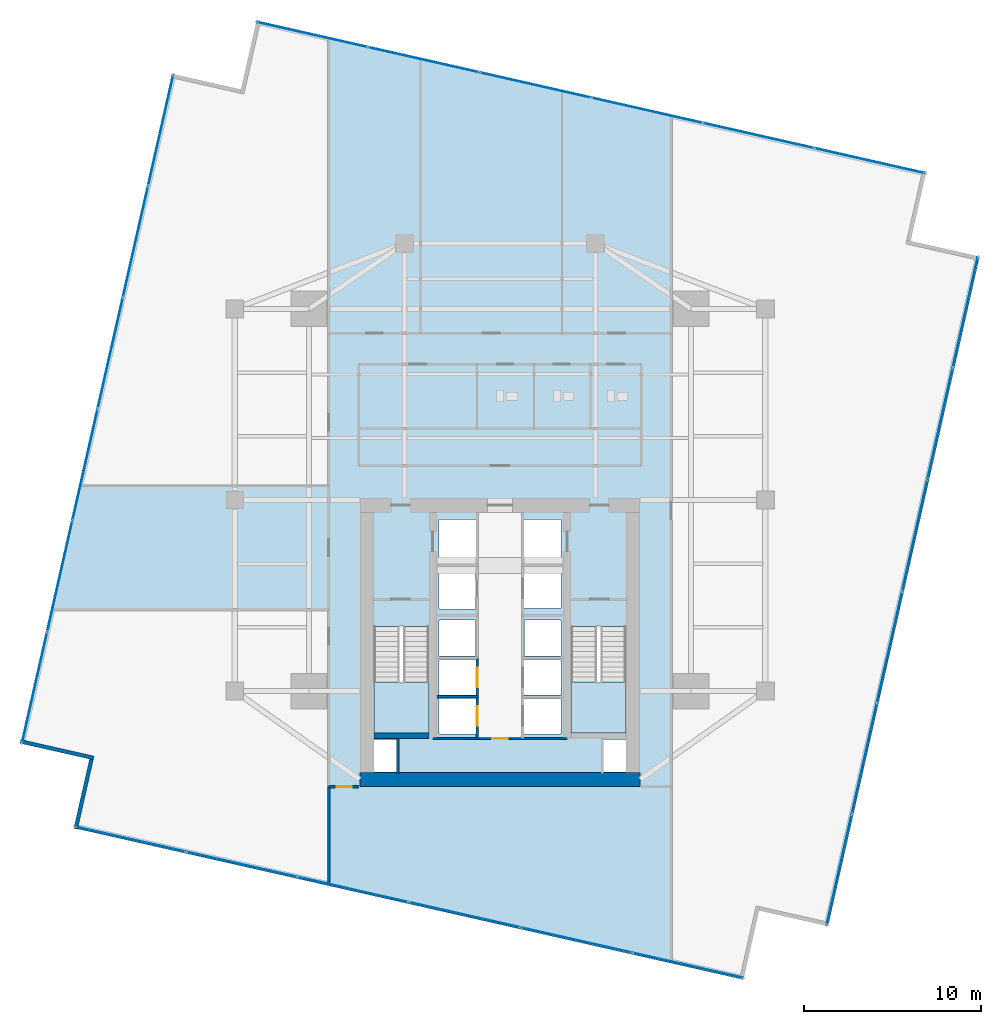
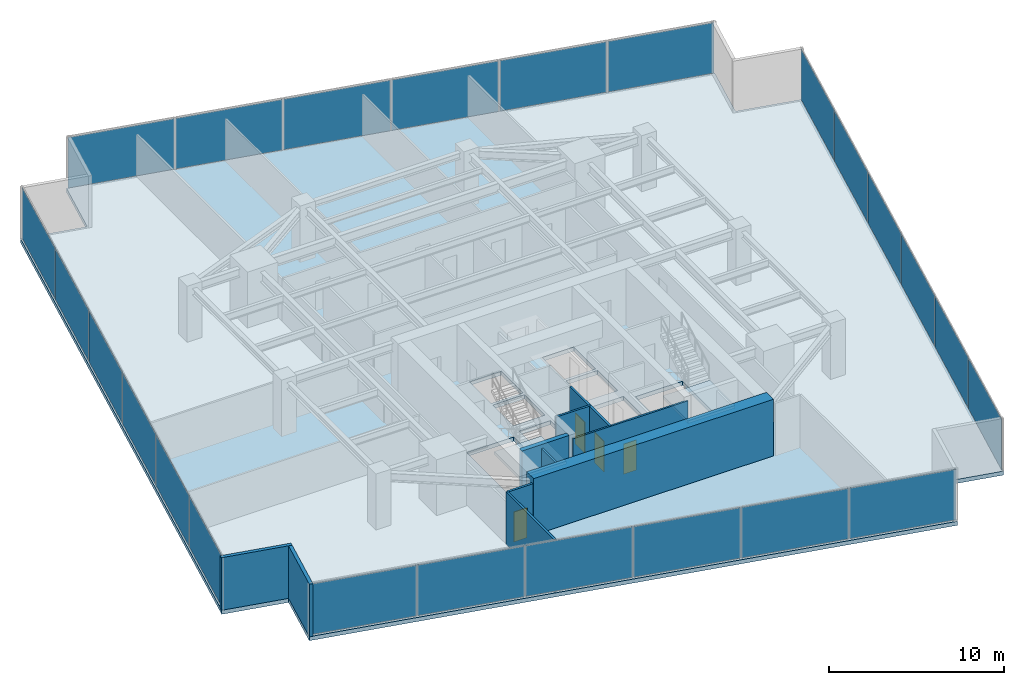
# One storey, part 22 of 27: 24 plates, 10 walls, 4 doors, 3 slabs, 4 openings, 6 elements without a shape of their own.
"""IFC4 building model written with IfcOpenShell, lengths in metres."""

import ifcopenshell
import ifcopenshell.guid

model = None  # the IFC model being written
_history = None  # IfcOwnerHistory: only IFC2X3 demands one
_inside = {}  # id of a spatial element -> (the spatial element, [elements in it])
_under = {}  # id of a project, library or spatial element -> (it, [spatial elements below it])
_declared = {}  # id of a project -> (the project, [libraries it declares])
_typed = {}  # id of a type object -> (the type object, [elements of that type])
_made_of = {}  # id of a material, layer set ... -> (it, [elements and type objects made of it])


def new_model(schema):
    """Start an empty IFC model of exactly this schema.

    Asked for "IFC4X3", IfcOpenShell would pick the latest addendum, in which some entities
    have other attributes; the version numbers below select the first issue.
    IFC2X3 requires an IfcOwnerHistory on every rooted entity: one is made here for all.
    """
    global model, _history
    if schema == "IFC4X3":
        model = ifcopenshell.file(schema_version=(4, 3, 0, 0))
    else:
        model = ifcopenshell.file(schema=schema)
    _inside.clear()
    _under.clear()
    _declared.clear()
    _typed.clear()
    _made_of.clear()
    _history = None
    if model.schema == "IFC2X3":
        org = make("IfcOrganization", Name="unknown")
        user = make(
            "IfcPersonAndOrganization",
            ThePerson=make("IfcPerson", FamilyName="unknown"),
            TheOrganization=org,
        )
        app = make(
            "IfcApplication",
            ApplicationDeveloper=org,
            Version="unknown",
            ApplicationFullName="unknown",
            ApplicationIdentifier="unknown",
        )
        _history = make(
            "IfcOwnerHistory",
            OwningUser=user,
            OwningApplication=app,
            ChangeAction="ADDED",
            CreationDate=0,
        )
    return model


def make(cls, **values):
    """One entity of the class cls with the attributes given. An attribute that is None is left unset."""
    return model.create_entity(
        cls, **{name: value for name, value in values.items() if value is not None}
    )


def rooted(cls, **values):
    """An entity with a GlobalId (a new one), such as an element, a storey or a relation."""
    return make(cls, GlobalId=ifcopenshell.guid.new(), OwnerHistory=_history, **values)


def si_unit(unit_type, name, prefix=None):
    """IfcSIUnit, for example si_unit("LENGTHUNIT", "METRE", prefix="MILLI")."""
    return make("IfcSIUnit", UnitType=unit_type, Prefix=prefix, Name=name)


def assignment(units):
    """IfcUnitAssignment: the units of a project."""
    return None if units is None else make("IfcUnitAssignment", Units=units)


def point(xyz):
    """IfcCartesianPoint."""
    return None if xyz is None else make("IfcCartesianPoint", Coordinates=xyz)


def direction(xyz):
    """IfcDirection."""
    return None if xyz is None else make("IfcDirection", DirectionRatios=xyz)


def frame(location, z_axis=None, x_axis=None):
    """IfcAxis2Placement3D, a coordinate frame: its origin and axes. An axis left out is left unset."""
    return make(
        "IfcAxis2Placement3D",
        Location=point(location),
        Axis=direction(z_axis),
        RefDirection=direction(x_axis),
    )


def frame_2d(location, x_axis=None):
    """IfcAxis2Placement2D, a coordinate frame in the plane: its origin and x axis."""
    return make(
        "IfcAxis2Placement2D", Location=point(location), RefDirection=direction(x_axis)
    )


def origin():
    """The frame at (0, 0, 0) with its axes left unset."""
    return frame((0.0, 0.0, 0.0))


def origin_2d():
    """The frame at (0, 0) in the plane with its x axis left unset."""
    return frame_2d((0.0, 0.0))


def place(relative_to, where):
    """IfcLocalPlacement: puts the frame where relative to a parent placement (None: the world)."""
    return make(
        "IfcLocalPlacement", PlacementRelTo=relative_to, RelativePlacement=where
    )


def context(
    kind, dimensions, precision=None, world=None, true_north=None, identifier=None
):
    """IfcGeometricRepresentationContext, for example the 3D "Model" context."""
    return make(
        "IfcGeometricRepresentationContext",
        ContextIdentifier=identifier,
        ContextType=kind,
        CoordinateSpaceDimension=dimensions,
        Precision=precision,
        WorldCoordinateSystem=world,
        TrueNorth=true_north,
    )


def subcontext(parent, identifier, kind, view, scale=None):
    """IfcGeometricRepresentationSubContext, for example "Body" below "Model"."""
    return make(
        "IfcGeometricRepresentationSubContext",
        ContextIdentifier=identifier,
        ContextType=kind,
        ParentContext=parent,
        TargetScale=scale,
        TargetView=view,
    )


def project(units=None, contexts=None):
    """IfcProject with its units and contexts."""
    return rooted(
        "IfcProject",
        Name="project",
        RepresentationContexts=contexts,
        UnitsInContext=assignment(units),
    )


def spatial(cls, under=None, at=None, **own):
    """A site, building, storey or space (cls), placed at a placement, below another one or the project."""
    s = rooted(cls, ObjectPlacement=at, **own)
    if under is not None:
        _under.setdefault(under.id(), (under, []))[1].append(s)
    return s


def polyline(points):
    """IfcPolyline through the points."""
    return make("IfcPolyline", Points=[point(p) for p in points])


def profile(cls, at=None, kind="AREA", **sizes):
    """A parametric profile (cls). Its sizes go by their IFC names, for example OverallWidth=200.0."""
    return make(cls, ProfileType=kind, Position=at, **sizes)


def rectangle(**sizes):
    """IfcRectangleProfileDef."""
    return profile("IfcRectangleProfileDef", **sizes)


def outline(outer, holes=None, kind="AREA"):
    """IfcArbitraryClosedProfileDef: a profile drawn as a closed curve; with holes, ...WithVoids."""
    if holes is None:
        return make("IfcArbitraryClosedProfileDef", ProfileType=kind, OuterCurve=outer)
    return make(
        "IfcArbitraryProfileDefWithVoids",
        ProfileType=kind,
        OuterCurve=outer,
        InnerCurves=holes,
    )


def extrude(swept, where, along, depth):
    """IfcExtrudedAreaSolid: the profile swept, set in the frame where, extruded along a direction by depth."""
    return make(
        "IfcExtrudedAreaSolid",
        SweptArea=swept,
        Position=where,
        ExtrudedDirection=direction(along),
        Depth=depth,
    )


def shape(context_of_items, identifier, shape_type, items):
    """IfcShapeRepresentation: the items that make up one representation, for example the "Body"."""
    return make(
        "IfcShapeRepresentation",
        ContextOfItems=context_of_items,
        RepresentationIdentifier=identifier,
        RepresentationType=shape_type,
        Items=items,
    )


def source(mapping_origin, context_of_items, identifier, shape_type, items):
    """IfcRepresentationMap: a shape defined once, which mapped items show again and again."""
    return make(
        "IfcRepresentationMap",
        MappingOrigin=mapping_origin,
        MappedRepresentation=shape(context_of_items, identifier, shape_type, items),
    )


def transform(
    local_origin,
    x_axis=None,
    y_axis=None,
    z_axis=None,
    scale=None,
    scale2=None,
    scale3=None,
    uniform=True,
):
    """IfcCartesianTransformationOperator3D, or its non-uniform kind. x_axis, y_axis, z_axis: its Axis1, 2, 3."""
    if uniform:
        return make(
            "IfcCartesianTransformationOperator3D",
            Axis1=direction(x_axis),
            Axis2=direction(y_axis),
            LocalOrigin=point(local_origin),
            Scale=scale,
            Axis3=direction(z_axis),
        )
    return make(
        "IfcCartesianTransformationOperator3DnonUniform",
        Axis1=direction(x_axis),
        Axis2=direction(y_axis),
        LocalOrigin=point(local_origin),
        Scale=scale,
        Axis3=direction(z_axis),
        Scale2=scale2,
        Scale3=scale3,
    )


def mapped(mapping_source, mapping_target):
    """IfcMappedItem: shows the shape of a source again, moved by a transform."""
    return make(
        "IfcMappedItem", MappingSource=mapping_source, MappingTarget=mapping_target
    )


def material(Name=None, Category=None):
    """IfcMaterial."""
    return make("IfcMaterial", Name=Name, Category=Category)


def layer(
    of_material, thickness, ventilated=None, Name=None, Category=None, Priority=None
):
    """IfcMaterialLayer: one layer of a wall or slab, of a material (None: an air gap)."""
    return make(
        "IfcMaterialLayer",
        Material=of_material,
        LayerThickness=thickness,
        IsVentilated=ventilated,
        Name=Name,
        Category=Category,
        Priority=Priority,
    )


def layer_set(layers, Name=None):
    """IfcMaterialLayerSet."""
    return make("IfcMaterialLayerSet", MaterialLayers=layers, LayerSetName=Name)


def made_of(thing, what):
    """Note that an element or type object is made of a material, layer set ...; save() writes the relation."""
    if what is not None:
        _made_of.setdefault(what.id(), (what, []))[1].append(thing)
    return thing


def type_object(cls, material=None, **own):
    """A type object (cls), such as IfcWallType, which elements share."""
    return made_of(rooted(cls, **own), material)


def type_shapes(of_type, sources):
    """Give a type object the sources (RepresentationMaps) that its elements show as mapped items."""
    of_type.RepresentationMaps = sources


def element(
    cls,
    number,
    at=None,
    inside=None,
    cuts=None,
    type_object=None,
    material=None,
    context=None,
    identifier="Body",
    shape_type=None,
    held_by="IfcProductDefinitionShape",
    body=None,
    shapes=None,
    **own,
):
    """One element of the class cls, such as IfcWall. Its Tag is "e" and its number.

    at: its placement. inside: the storey or other place that contains it. cuts: it is an
    opening in that element (IfcRelVoidsElement). A single representation is given by context,
    identifier, shape_type and body (its items); several are given by shapes. held_by: the class
    of the entity that holds the representations. save() writes the other relations.
    """
    e = rooted(cls, Tag="e%d" % number, ObjectPlacement=at, **own)
    if body is not None:
        shapes = [shape(context, identifier, shape_type, body)]
    if shapes is not None:
        e.Representation = make(held_by, Representations=shapes)
    if inside is not None:
        _inside.setdefault(inside.id(), (inside, []))[1].append(e)
    if cuts is not None:
        rooted(
            "IfcRelVoidsElement", RelatingBuildingElement=cuts, RelatedOpeningElement=e
        )
    if type_object is not None:
        _typed.setdefault(type_object.id(), (type_object, []))[1].append(e)
    return made_of(e, material)


def fill(opening, filler):
    """IfcRelFillsElement: the door or window that sits in an opening."""
    return rooted(
        "IfcRelFillsElement",
        RelatingOpeningElement=opening,
        RelatedBuildingElement=filler,
    )


def aggregate(whole, parts):
    """IfcRelAggregates: a whole, such as a stair, and the parts it consists of."""
    return rooted("IfcRelAggregates", RelatingObject=whole, RelatedObjects=parts)


def save(model, path):
    """Write the relations noted so far, then the file.

    IfcRelAggregates (storeys below a building ...), IfcRelContainedInSpatialStructure (elements
    in a storey), IfcRelDefinesByType, IfcRelAssociatesMaterial and IfcRelDeclares: one each for
    every whole, place, type object, material and project.
    """
    for whole, parts in _under.values():
        aggregate(whole, parts)
    for where, things in _inside.values():
        rooted(
            "IfcRelContainedInSpatialStructure",
            RelatedElements=things,
            RelatingStructure=where,
        )
    for kind, things in _typed.values():
        rooted("IfcRelDefinesByType", RelatedObjects=things, RelatingType=kind)
    for what, things in _made_of.values():
        rooted("IfcRelAssociatesMaterial", RelatedObjects=things, RelatingMaterial=what)
    for by, libraries in _declared.values():
        rooted("IfcRelDeclares", RelatingContext=by, RelatedDefinitions=libraries)
    model.write(path)


model = new_model("IFC4")

# Units and contexts
model_context = context("Model", 3, precision=1e-05, world=origin(), true_north=direction((0.0, 1.0)))
body_context = subcontext(model_context, "Body", "Model", "MODEL_VIEW")
ifc_project = project(units=[si_unit("LENGTHUNIT", "METRE"), si_unit("AREAUNIT", "SQUARE_METRE"), si_unit("VOLUMEUNIT", "CUBIC_METRE"), si_unit("PLANEANGLEUNIT", "RADIAN"), si_unit("MASSUNIT", "GRAM", prefix="KILO")], contexts=[model_context])

# Site, building, storey
site_placement = place(None, origin())
site = spatial("IfcSite", under=ifc_project, at=site_placement, CompositionType="ELEMENT")
building_placement = place(site_placement, origin())
building = spatial("IfcBuilding", under=site, at=building_placement, Name="Krantzveldt Concourse Tower", CompositionType="ELEMENT")
storey_placement = place(building_placement, frame((0.0, 0.0, 86.10009765625)))
storey = spatial("IfcBuildingStorey", under=building, at=storey_placement, Name="L20", CompositionType="ELEMENT", Elevation=86.10009765625)

# Stair, slab
ifc_material_1 = material(Name="Precast concrete C40/50", Category="concrete")
stair_type = type_object("IfcStairType", Name="STR-CORE-DOGLEG", PredefinedType="HALF_TURN_STAIR", material=ifc_material_1)
stair_1_placement = place(storey_placement, origin())
stair_1 = element("IfcStair", 1, at=stair_1_placement, inside=storey, type_object=stair_type, Name="L20 Protected Escape Stair ST-1", PredefinedType="HALF_TURN_STAIR")
ifc_layer_1 = layer(ifc_material_1, 0.199951171875, Name="Precast concrete C40/50", Category="concrete")
ifc_layer_set_1 = layer_set([ifc_layer_1], Name="Precast concrete C40/50 (SL-LANDING-200)")
slab_type_1 = type_object("IfcSlabType", Name="SL-LANDING-200", PredefinedType="LANDING", material=ifc_layer_set_1)
slab_1_placement = place(storey_placement, frame((0.0, 0.0, 1.77490234375)))
slab_1 = element("IfcSlab", 2, at=slab_1_placement, type_object=slab_type_1, Name="ST-1 landing 1", PredefinedType="LANDING", context=body_context, shape_type="SweptSolid", body=[
    extrude(outline(polyline([(28.8798828125, 16.4150390625), (28.8798828125, 13.52001953125), (31.97998046875, 13.52001953125), (31.97998046875, 16.4150390625), (28.8798828125, 16.4150390625)])), origin(), (0.0, 0.0, 1.0), 0.199951171875),
])
aggregate(stair_1, [slab_1])

stair_2_placement = place(storey_placement, origin())
stair_2 = element("IfcStair", 3, at=stair_2_placement, inside=storey, type_object=stair_type, Name="L20 Protected Escape Stair ST-2", PredefinedType="HALF_TURN_STAIR")
slab_2_placement = place(storey_placement, frame((0.0, 0.0, 1.77490234375)))
slab_2 = element("IfcSlab", 4, at=slab_2_placement, type_object=slab_type_1, Name="ST-2 landing 1", PredefinedType="LANDING", context=body_context, shape_type="SweptSolid", body=[
    extrude(outline(polyline([(40.02001953125, 16.4150390625), (40.02001953125, 13.52001953125), (43.1201171875, 13.52001953125), (43.1201171875, 16.4150390625), (40.02001953125, 16.4150390625)])), origin(), (0.0, 0.0, 1.0), 0.199951171875),
])
aggregate(stair_2, [slab_2])

# Slab
ifc_material_2 = material(Name="Concrete C40/50", Category="concrete")
ifc_layer_2 = layer(ifc_material_2, 0.280029296875, Name="Concrete C40/50", Category="concrete")
ifc_layer_set_2 = layer_set([ifc_layer_2], Name="Concrete C40/50 (SL-SL-TWR280)")
slab_type_2 = type_object("IfcSlabType", Name="SL-SL-TWR280", PredefinedType="FLOOR", material=ifc_layer_set_2)
slab_3_placement = place(storey_placement, frame((0.0, 0.0, -0.280029296875)))
element("IfcSlab", 5, at=slab_3_placement, inside=storey, type_object=slab_type_2, Name="SL-L20-MAIN", PredefinedType="FLOOR", context=body_context, shape_type="SweptSolid", body=[
    extrude(outline(polyline([(21.35986328125, 49.903076171875), (17.45849609375, 50.785888671875), (8.8955078125, 12.942626953125), (12.796875, 12.059814453125), (11.9140625, 8.158447265625), (49.75732421875, -0.404541015625), (50.64013671875, 3.496826171875), (54.54150390625, 2.614013671875), (63.1044921875, 40.457275390625), (59.203125, 41.340087890625), (60.0859375, 45.241455078125), (22.24267578125, 53.804443359375), (21.35986328125, 49.903076171875)]), holes=[polyline([(28.8798828125, 19.547607421875), (28.8798828125, 13.52001953125), (31.97998046875, 13.52001953125), (31.97998046875, 19.547607421875), (28.8798828125, 19.547607421875)]), polyline([(40.02001953125, 19.547607421875), (40.02001953125, 13.52001953125), (43.1201171875, 13.52001953125), (43.1201171875, 19.547607421875), (40.02001953125, 19.547607421875)]), polyline([(32.550048828125, 23.10009765625), (34.64990234375, 23.10009765625), (34.64990234375, 25.60009765625), (32.550048828125, 25.60009765625), (32.550048828125, 23.10009765625)]), polyline([(37.35009765625, 23.10009765625), (39.449951171875, 23.10009765625), (39.449951171875, 25.60009765625), (37.35009765625, 25.60009765625), (37.35009765625, 23.10009765625)]), polyline([(37.35009765625, 20.60009765625), (39.449951171875, 20.60009765625), (39.449951171875, 22.89990234375), (37.35009765625, 22.89990234375), (37.35009765625, 20.60009765625)]), polyline([(32.550048828125, 13.47998046875), (34.64990234375, 13.47998046875), (34.64990234375, 15.47998046875), (32.550048828125, 15.47998046875), (32.550048828125, 13.47998046875)]), polyline([(32.550048828125, 15.679931640625), (34.64990234375, 15.679931640625), (34.64990234375, 17.679931640625), (32.550048828125, 17.679931640625), (32.550048828125, 15.679931640625)]), polyline([(37.35009765625, 13.47998046875), (39.449951171875, 13.47998046875), (39.449951171875, 15.47998046875), (37.35009765625, 15.47998046875), (37.35009765625, 13.47998046875)]), polyline([(37.35009765625, 15.679931640625), (39.449951171875, 15.679931640625), (39.449951171875, 17.679931640625), (37.35009765625, 17.679931640625), (37.35009765625, 15.679931640625)]), polyline([(32.550048828125, 20.550048828125), (34.6201171875, 20.550048828125), (34.6201171875, 22.89990234375), (32.550048828125, 22.89990234375), (32.550048828125, 20.550048828125)]), polyline([(32.550048828125, 17.8798828125), (34.6201171875, 17.8798828125), (34.6201171875, 19.919921875), (32.550048828125, 19.919921875), (32.550048828125, 17.8798828125)]), polyline([(37.3798828125, 17.8798828125), (39.449951171875, 17.8798828125), (39.449951171875, 19.919921875), (37.3798828125, 19.919921875), (37.3798828125, 17.8798828125)]), polyline([(28.8798828125, 11.320068359375), (30.139892578125, 11.320068359375), (30.139892578125, 13.159912109375), (28.8798828125, 13.159912109375), (28.8798828125, 11.320068359375)]), polyline([(41.860107421875, 11.320068359375), (43.1201171875, 11.320068359375), (43.1201171875, 13.159912109375), (41.860107421875, 13.159912109375), (41.860107421875, 11.320068359375)])]), origin(), (0.0, 0.0, 1.0), 0.280029296875),
])

# Curtain wall, plates
ifc_material_3 = material(Name="Anodised aluminium 6063-T6", Category="aluminium")
curtain_wall_type = type_object("IfcCurtainWallType", Name="CW2", PredefinedType="USERDEFINED", material=ifc_material_3)
curtain_wall_1_placement = place(storey_placement, origin())
curtain_wall_1 = element("IfcCurtainWall", 6, at=curtain_wall_1_placement, inside=storey, type_object=curtain_wall_type, Name="CW-L20-F01", ObjectType="UNITISED CURTAIN WALL", PredefinedType="USERDEFINED")
ifc_material_4 = material(Name="Bronze-tinted laminated low-E IGU glass", Category="glass")
ifc_layer_3 = layer(ifc_material_4, 0.031982421875, Name="Bronze-tinted laminated low-E IGU glass", Category="glass")
ifc_layer_set_3 = layer_set([ifc_layer_3], Name="Bronze-tinted laminated low-E IGU glass (CW-GLZ-32)")
plate_type = type_object("IfcPlateType", Name="CW-GLZ-32", PredefinedType="CURTAIN_PANEL", material=ifc_layer_set_3)
shared_shape_1 = source(origin(), body_context, "Body", "SweptSolid", [
    extrude(rectangle(XDim=6.361572265625, YDim=0.031982421875, at=origin_2d()), origin(), (0.0, 0.0, 1.0), 3.530029296875),
])
plate_1_placement = place(storey_placement, frame((16.828857421875, 47.595458984375, 0.06982421875), z_axis=(0.0, 0.0, 1.0), x_axis=(-0.220697434579, -0.975342320609, 0.0)))
plate_1 = element("IfcPlate", 7, at=plate_1_placement, type_object=plate_type, Name="CW-Z12 panel 1.1", PredefinedType="CURTAIN_PANEL", context=body_context, shape_type="MappedRepresentation", body=[
    mapped(shared_shape_1, transform((0.0, 0.0, 0.0), x_axis=(1.0, 0.0, 0.0), y_axis=(0.0, 1.0, 0.0), z_axis=(0.0, 0.0, 1.0), scale=1.0)),
])
plate_2_placement = place(storey_placement, frame((9.70068359375, 16.093505859375, 0.06982421875), z_axis=(0.0, 0.0, 1.0), x_axis=(-0.220697434579, -0.975342320609, 0.0)))
plate_2 = element("IfcPlate", 8, at=plate_2_placement, type_object=plate_type, Name="CW-Z12 panel 6.1", PredefinedType="CURTAIN_PANEL", context=body_context, shape_type="MappedRepresentation", body=[
    mapped(shared_shape_1, transform((0.0, 0.0, 0.0), x_axis=(1.0, 0.0, 0.0), y_axis=(0.0, 1.0, 0.0), z_axis=(0.0, 0.0, 1.0), scale=1.0)),
])

curtain_wall_2_placement = place(storey_placement, origin())
curtain_wall_2 = element("IfcCurtainWall", 9, at=curtain_wall_2_placement, inside=storey, type_object=curtain_wall_type, Name="CW-L20-F04", ObjectType="UNITISED CURTAIN WALL", PredefinedType="USERDEFINED")
plate_3_placement = place(storey_placement, frame((15.1044921875, 7.52880859375, 0.06982421875), z_axis=(0.0, 0.0, 1.0), x_axis=(0.975342320609, -0.220697434579, 0.0)))
plate_3 = element("IfcPlate", 10, at=plate_3_placement, type_object=plate_type, Name="CW-Z12 panel 1.1", PredefinedType="CURTAIN_PANEL", context=body_context, shape_type="MappedRepresentation", body=[
    mapped(shared_shape_1, transform((0.0, 0.0, 0.0), x_axis=(1.0, 0.0, 0.0), y_axis=(0.0, 1.0, 0.0), z_axis=(0.0, 0.0, 1.0), scale=1.0)),
])
plate_4_placement = place(storey_placement, frame((46.6064453125, 0.400634765625, 0.06982421875), z_axis=(0.0, 0.0, 1.0), x_axis=(0.975342320609, -0.220697434579, 0.0)))
plate_4 = element("IfcPlate", 11, at=plate_4_placement, type_object=plate_type, Name="CW-Z12 panel 6.1", PredefinedType="CURTAIN_PANEL", context=body_context, shape_type="MappedRepresentation", body=[
    mapped(shared_shape_1, transform((0.0, 0.0, 0.0), x_axis=(1.0, 0.0, 0.0), y_axis=(0.0, 1.0, 0.0), z_axis=(0.0, 0.0, 1.0), scale=1.0)),
])

curtain_wall_3_placement = place(storey_placement, origin())
curtain_wall_3 = element("IfcCurtainWall", 12, at=curtain_wall_3_placement, inside=storey, type_object=curtain_wall_type, Name="CW-L20-F07", ObjectType="UNITISED CURTAIN WALL", PredefinedType="USERDEFINED")
plate_5_placement = place(storey_placement, frame((55.171142578125, 5.8046875, 0.06982421875), z_axis=(0.0, 0.0, 1.0), x_axis=(0.220697434579, 0.975342320609, 0.0)))
plate_5 = element("IfcPlate", 13, at=plate_5_placement, type_object=plate_type, Name="CW-Z12 panel 1.1", PredefinedType="CURTAIN_PANEL", context=body_context, shape_type="MappedRepresentation", body=[
    mapped(shared_shape_1, transform((0.0, 0.0, 0.0), x_axis=(1.0, 0.0, 0.0), y_axis=(0.0, 1.0, 0.0), z_axis=(0.0, 0.0, 1.0), scale=1.0)),
])
plate_6_placement = place(storey_placement, frame((62.29931640625, 37.306396484375, 0.06982421875), z_axis=(0.0, 0.0, 1.0), x_axis=(0.220697434579, 0.975342320609, 0.0)))
plate_6 = element("IfcPlate", 14, at=plate_6_placement, type_object=plate_type, Name="CW-Z12 panel 6.1", PredefinedType="CURTAIN_PANEL", context=body_context, shape_type="MappedRepresentation", body=[
    mapped(shared_shape_1, transform((0.0, 0.0, 0.0), x_axis=(1.0, 0.0, 0.0), y_axis=(0.0, 1.0, 0.0), z_axis=(0.0, 0.0, 1.0), scale=1.0)),
])

curtain_wall_4_placement = place(storey_placement, origin())
curtain_wall_4 = element("IfcCurtainWall", 15, at=curtain_wall_4_placement, inside=storey, type_object=curtain_wall_type, Name="CW-L20-F10", ObjectType="UNITISED CURTAIN WALL", PredefinedType="USERDEFINED")
plate_7_placement = place(storey_placement, frame((56.8955078125, 45.87109375, 0.06982421875), z_axis=(0.0, 0.0, 1.0), x_axis=(-0.975342320609, 0.220697434579, 0.0)))
plate_7 = element("IfcPlate", 16, at=plate_7_placement, type_object=plate_type, Name="CW-Z12 panel 1.1", PredefinedType="CURTAIN_PANEL", context=body_context, shape_type="MappedRepresentation", body=[
    mapped(shared_shape_1, transform((0.0, 0.0, 0.0), x_axis=(1.0, 0.0, 0.0), y_axis=(0.0, 1.0, 0.0), z_axis=(0.0, 0.0, 1.0), scale=1.0)),
])
plate_8_placement = place(storey_placement, frame((25.3935546875, 52.999267578125, 0.06982421875), z_axis=(0.0, 0.0, 1.0), x_axis=(-0.975342320609, 0.220697434579, 0.0)))
plate_8 = element("IfcPlate", 17, at=plate_8_placement, type_object=plate_type, Name="CW-Z12 panel 6.1", PredefinedType="CURTAIN_PANEL", context=body_context, shape_type="MappedRepresentation", body=[
    mapped(shared_shape_1, transform((0.0, 0.0, 0.0), x_axis=(1.0, 0.0, 0.0), y_axis=(0.0, 1.0, 0.0), z_axis=(0.0, 0.0, 1.0), scale=1.0)),
])

# Plate
shared_shape_2 = source(origin(), body_context, "Body", "SweptSolid", [
    extrude(rectangle(XDim=6.396728515625, YDim=0.031982421875, at=origin_2d()), origin(), (0.0, 0.0, 1.0), 3.530029296875),
])
type_shapes(plate_type, [shared_shape_1, shared_shape_2])
plate_9_placement = place(storey_placement, frame((15.405517578125, 41.30517578125, 0.06982421875), z_axis=(0.0, 0.0, 1.0), x_axis=(-0.220697434579, -0.975342320609, 0.0)))
plate_9 = element("IfcPlate", 18, at=plate_9_placement, type_object=plate_type, Name="CW-Z12 panel 2.1", PredefinedType="CURTAIN_PANEL", context=body_context, shape_type="MappedRepresentation", body=[
    mapped(shared_shape_2, transform((0.0, 0.0, 0.0), x_axis=(1.0, 0.0, 0.0), y_axis=(0.0, 1.0, 0.0), z_axis=(0.0, 0.0, 1.0), scale=1.0)),
])

plate_10_placement = place(storey_placement, frame((13.978271484375, 34.998046875, 0.06982421875), z_axis=(0.0, 0.0, 1.0), x_axis=(-0.220697434579, -0.975342320609, 0.0)))
plate_10 = element("IfcPlate", 19, at=plate_10_placement, type_object=plate_type, Name="CW-Z12 panel 3.1", PredefinedType="CURTAIN_PANEL", context=body_context, shape_type="MappedRepresentation", body=[
    mapped(shared_shape_2, transform((0.0, 0.0, 0.0), x_axis=(1.0, 0.0, 0.0), y_axis=(0.0, 1.0, 0.0), z_axis=(0.0, 0.0, 1.0), scale=1.0)),
])

plate_11_placement = place(storey_placement, frame((12.55126953125, 28.69091796875, 0.06982421875), z_axis=(0.0, 0.0, 1.0), x_axis=(-0.220697434579, -0.975342320609, 0.0)))
plate_11 = element("IfcPlate", 20, at=plate_11_placement, type_object=plate_type, Name="CW-Z12 panel 4.1", PredefinedType="CURTAIN_PANEL", context=body_context, shape_type="MappedRepresentation", body=[
    mapped(shared_shape_2, transform((0.0, 0.0, 0.0), x_axis=(1.0, 0.0, 0.0), y_axis=(0.0, 1.0, 0.0), z_axis=(0.0, 0.0, 1.0), scale=1.0)),
])

plate_12_placement = place(storey_placement, frame((11.1240234375, 22.383544921875, 0.06982421875), z_axis=(0.0, 0.0, 1.0), x_axis=(-0.220697434579, -0.975342320609, 0.0)))
plate_12 = element("IfcPlate", 21, at=plate_12_placement, type_object=plate_type, Name="CW-Z12 panel 5.1", PredefinedType="CURTAIN_PANEL", context=body_context, shape_type="MappedRepresentation", body=[
    mapped(shared_shape_2, transform((0.0, 0.0, 0.0), x_axis=(1.0, 0.0, 0.0), y_axis=(0.0, 1.0, 0.0), z_axis=(0.0, 0.0, 1.0), scale=1.0)),
])

aggregate(curtain_wall_1, [plate_1, plate_9, plate_10, plate_11, plate_12, plate_2])

plate_13_placement = place(storey_placement, frame((21.394775390625, 6.10546875, 0.06982421875), z_axis=(0.0, 0.0, 1.0), x_axis=(0.975342320609, -0.220697434579, 0.0)))
plate_13 = element("IfcPlate", 22, at=plate_13_placement, type_object=plate_type, Name="CW-Z12 panel 2.1", PredefinedType="CURTAIN_PANEL", context=body_context, shape_type="MappedRepresentation", body=[
    mapped(shared_shape_2, transform((0.0, 0.0, 0.0), x_axis=(1.0, 0.0, 0.0), y_axis=(0.0, 1.0, 0.0), z_axis=(0.0, 0.0, 1.0), scale=1.0)),
])

plate_14_placement = place(storey_placement, frame((27.701904296875, 4.678466796875, 0.06982421875), z_axis=(0.0, 0.0, 1.0), x_axis=(0.975342320609, -0.220697434579, 0.0)))
plate_14 = element("IfcPlate", 23, at=plate_14_placement, type_object=plate_type, Name="CW-Z12 panel 3.1", PredefinedType="CURTAIN_PANEL", context=body_context, shape_type="MappedRepresentation", body=[
    mapped(shared_shape_2, transform((0.0, 0.0, 0.0), x_axis=(1.0, 0.0, 0.0), y_axis=(0.0, 1.0, 0.0), z_axis=(0.0, 0.0, 1.0), scale=1.0)),
])

plate_15_placement = place(storey_placement, frame((34.009033203125, 3.251220703125, 0.06982421875), z_axis=(0.0, 0.0, 1.0), x_axis=(0.975342320609, -0.220697434579, 0.0)))
plate_15 = element("IfcPlate", 24, at=plate_15_placement, type_object=plate_type, Name="CW-Z12 panel 4.1", PredefinedType="CURTAIN_PANEL", context=body_context, shape_type="MappedRepresentation", body=[
    mapped(shared_shape_2, transform((0.0, 0.0, 0.0), x_axis=(1.0, 0.0, 0.0), y_axis=(0.0, 1.0, 0.0), z_axis=(0.0, 0.0, 1.0), scale=1.0)),
])

plate_16_placement = place(storey_placement, frame((40.31640625, 1.823974609375, 0.06982421875), z_axis=(0.0, 0.0, 1.0), x_axis=(0.975342320609, -0.220697434579, 0.0)))
plate_16 = element("IfcPlate", 25, at=plate_16_placement, type_object=plate_type, Name="CW-Z12 panel 5.1", PredefinedType="CURTAIN_PANEL", context=body_context, shape_type="MappedRepresentation", body=[
    mapped(shared_shape_2, transform((0.0, 0.0, 0.0), x_axis=(1.0, 0.0, 0.0), y_axis=(0.0, 1.0, 0.0), z_axis=(0.0, 0.0, 1.0), scale=1.0)),
])

aggregate(curtain_wall_2, [plate_3, plate_13, plate_14, plate_15, plate_16, plate_4])

plate_17_placement = place(storey_placement, frame((56.594482421875, 12.0947265625, 0.06982421875), z_axis=(0.0, 0.0, 1.0), x_axis=(0.220697434579, 0.975342320609, 0.0)))
plate_17 = element("IfcPlate", 26, at=plate_17_placement, type_object=plate_type, Name="CW-Z12 panel 2.1", PredefinedType="CURTAIN_PANEL", context=body_context, shape_type="MappedRepresentation", body=[
    mapped(shared_shape_2, transform((0.0, 0.0, 0.0), x_axis=(1.0, 0.0, 0.0), y_axis=(0.0, 1.0, 0.0), z_axis=(0.0, 0.0, 1.0), scale=1.0)),
])

plate_18_placement = place(storey_placement, frame((58.021728515625, 18.40185546875, 0.06982421875), z_axis=(0.0, 0.0, 1.0), x_axis=(0.220697434579, 0.975342320609, 0.0)))
plate_18 = element("IfcPlate", 27, at=plate_18_placement, type_object=plate_type, Name="CW-Z12 panel 3.1", PredefinedType="CURTAIN_PANEL", context=body_context, shape_type="MappedRepresentation", body=[
    mapped(shared_shape_2, transform((0.0, 0.0, 0.0), x_axis=(1.0, 0.0, 0.0), y_axis=(0.0, 1.0, 0.0), z_axis=(0.0, 0.0, 1.0), scale=1.0)),
])

plate_19_placement = place(storey_placement, frame((59.44873046875, 24.709228515625, 0.06982421875), z_axis=(0.0, 0.0, 1.0), x_axis=(0.220697434579, 0.975342320609, 0.0)))
plate_19 = element("IfcPlate", 28, at=plate_19_placement, type_object=plate_type, Name="CW-Z12 panel 4.1", PredefinedType="CURTAIN_PANEL", context=body_context, shape_type="MappedRepresentation", body=[
    mapped(shared_shape_2, transform((0.0, 0.0, 0.0), x_axis=(1.0, 0.0, 0.0), y_axis=(0.0, 1.0, 0.0), z_axis=(0.0, 0.0, 1.0), scale=1.0)),
])

plate_20_placement = place(storey_placement, frame((60.8759765625, 31.016357421875, 0.06982421875), z_axis=(0.0, 0.0, 1.0), x_axis=(0.220697434579, 0.975342320609, 0.0)))
plate_20 = element("IfcPlate", 29, at=plate_20_placement, type_object=plate_type, Name="CW-Z12 panel 5.1", PredefinedType="CURTAIN_PANEL", context=body_context, shape_type="MappedRepresentation", body=[
    mapped(shared_shape_2, transform((0.0, 0.0, 0.0), x_axis=(1.0, 0.0, 0.0), y_axis=(0.0, 1.0, 0.0), z_axis=(0.0, 0.0, 1.0), scale=1.0)),
])

aggregate(curtain_wall_3, [plate_5, plate_17, plate_18, plate_19, plate_20, plate_6])

plate_21_placement = place(storey_placement, frame((50.605224609375, 47.29443359375, 0.06982421875), z_axis=(0.0, 0.0, 1.0), x_axis=(-0.975342320609, 0.220697434579, 0.0)))
plate_21 = element("IfcPlate", 30, at=plate_21_placement, type_object=plate_type, Name="CW-Z12 panel 2.1", PredefinedType="CURTAIN_PANEL", context=body_context, shape_type="MappedRepresentation", body=[
    mapped(shared_shape_2, transform((0.0, 0.0, 0.0), x_axis=(1.0, 0.0, 0.0), y_axis=(0.0, 1.0, 0.0), z_axis=(0.0, 0.0, 1.0), scale=1.0)),
])

plate_22_placement = place(storey_placement, frame((44.298095703125, 48.7216796875, 0.06982421875), z_axis=(0.0, 0.0, 1.0), x_axis=(-0.975342320609, 0.220697434579, 0.0)))
plate_22 = element("IfcPlate", 31, at=plate_22_placement, type_object=plate_type, Name="CW-Z12 panel 3.1", PredefinedType="CURTAIN_PANEL", context=body_context, shape_type="MappedRepresentation", body=[
    mapped(shared_shape_2, transform((0.0, 0.0, 0.0), x_axis=(1.0, 0.0, 0.0), y_axis=(0.0, 1.0, 0.0), z_axis=(0.0, 0.0, 1.0), scale=1.0)),
])

plate_23_placement = place(storey_placement, frame((37.990966796875, 50.14892578125, 0.06982421875), z_axis=(0.0, 0.0, 1.0), x_axis=(-0.975342320609, 0.220697434579, 0.0)))
plate_23 = element("IfcPlate", 32, at=plate_23_placement, type_object=plate_type, Name="CW-Z12 panel 4.1", PredefinedType="CURTAIN_PANEL", context=body_context, shape_type="MappedRepresentation", body=[
    mapped(shared_shape_2, transform((0.0, 0.0, 0.0), x_axis=(1.0, 0.0, 0.0), y_axis=(0.0, 1.0, 0.0), z_axis=(0.0, 0.0, 1.0), scale=1.0)),
])

plate_24_placement = place(storey_placement, frame((31.68359375, 51.575927734375, 0.06982421875), z_axis=(0.0, 0.0, 1.0), x_axis=(-0.975342320609, 0.220697434579, 0.0)))
plate_24 = element("IfcPlate", 33, at=plate_24_placement, type_object=plate_type, Name="CW-Z12 panel 5.1", PredefinedType="CURTAIN_PANEL", context=body_context, shape_type="MappedRepresentation", body=[
    mapped(shared_shape_2, transform((0.0, 0.0, 0.0), x_axis=(1.0, 0.0, 0.0), y_axis=(0.0, 1.0, 0.0), z_axis=(0.0, 0.0, 1.0), scale=1.0)),
])

aggregate(curtain_wall_4, [plate_7, plate_21, plate_22, plate_23, plate_24, plate_8])

# Walls
ifc_layer_4 = layer(ifc_material_3, 0.219970703125, Name="Anodised aluminium 6063-T6", Category="aluminium")
ifc_layer_set_4 = layer_set([ifc_layer_4], Name="Anodised aluminium 6063-T6 (WL-EXT-NOTCH220)")
wall_type_1 = type_object("IfcWallType", Name="WL-EXT-NOTCH220", PredefinedType="ELEMENTEDWALL", material=ifc_layer_set_4)
wall_1_placement = place(storey_placement, frame((8.895263671875, 13.055419921875, 0.0), z_axis=(0.0, 0.0, 1.0), x_axis=(0.975347642517, -0.220673913812, 0.0)))
element("IfcWall", 34, at=wall_1_placement, inside=storey, type_object=wall_type_1, Name="EW-L20-NCH02", PredefinedType="ELEMENTEDWALL", context=body_context, shape_type="SweptSolid", body=[
    extrude(rectangle(XDim=4.2451171875, YDim=0.219970703125, at=frame_2d((2.12255859375, 0.0))), origin(), (0.0, 0.0, 1.0), 3.669921875),
])
wall_2_placement = place(storey_placement, frame((12.904052734375, 12.03564453125, 0.0), z_axis=(0.0, 0.0, 1.0), x_axis=(-0.2206667074, -0.975349272951, 0.0)))
element("IfcWall", 35, at=wall_2_placement, inside=storey, type_object=wall_type_1, Name="EW-L20-NCH03", PredefinedType="ELEMENTEDWALL", context=body_context, shape_type="SweptSolid", body=[
    extrude(rectangle(XDim=4.02490234375, YDim=0.219970703125, at=frame_2d((2.012451171875, 0.0))), origin(), (0.0, 0.0, 1.0), 3.669921875),
])

# Wall, opening, door
ifc_material_5 = material(Name="Fire-rated gypsum plasterboard on steel stud", Category="steel")
ifc_layer_5 = layer(ifc_material_5, 0.1201171875, Name="Fire-rated gypsum plasterboard on steel stud", Category="steel")
ifc_layer_set_5 = layer_set([ifc_layer_5], Name="Fire-rated gypsum plasterboard on steel stud (WL-PART-120)")
wall_type_2 = type_object("IfcWallType", Name="WL-PART-120", PredefinedType="PARTITIONING", material=ifc_layer_set_5)
wall_3_placement = place(storey_placement, frame((32.2099609375, 13.219970703125, 0.0), z_axis=(0.0, 0.0, 1.0), x_axis=(1.0, 0.0, 0.0)))
wall_3 = element("IfcWall", 36, at=wall_3_placement, inside=storey, type_object=wall_type_2, Name="WP-L20-CS2H", PredefinedType="PARTITIONING", context=body_context, shape_type="SweptSolid", body=[
    extrude(rectangle(XDim=7.580078125, YDim=0.1201171875, at=frame_2d((3.7900390625, 0.0))), origin(), (0.0, 0.0, 1.0), 3.669921875),
])
opening_1_placement = place(wall_3_placement, frame((3.364990234375, 0.0, 0.0)))
opening_1 = element("IfcOpeningElement", 37, at=opening_1_placement, cuts=wall_3, Name="Opening D-IN085", PredefinedType="OPENING", context=body_context, shape_type="SweptSolid", body=[
    extrude(rectangle(XDim=0.85009765625, YDim=2.10009765625, at=frame_2d((0.425048828125, 1.050048828125))), frame((0.0, 0.070068359375, 0.0), z_axis=(0.0, -1.0, 0.0), x_axis=(1.0, 0.0, 0.0)), (0.0, 0.0, 1.0), 0.14013671875),
])
ifc_material_6 = material(Name="Hardwood timber", Category="wood")
door_type_1 = type_object("IfcDoorType", Name="DR-INT-850", OperationType="SINGLE_SWING_LEFT", PredefinedType="DOOR", material=ifc_material_6)
door_1_placement = place(opening_1_placement, origin())
door_1 = element("IfcDoor", 38, at=door_1_placement, inside=storey, type_object=door_type_1, Name="DR-L20-CSC1", OperationType="SINGLE_SWING_RIGHT", OverallHeight=2.10009765625, OverallWidth=0.85009765625, PredefinedType="DOOR", context=body_context, shape_type="SweptSolid", body=[
    extrude(rectangle(XDim=0.85009765625, YDim=2.10009765625, at=frame_2d((0.425048828125, 1.050048828125))), frame((0.0, 0.02490234375, 0.0), z_axis=(0.0, -1.0, 0.0), x_axis=(1.0, 0.0, 0.0)), (0.0, 0.0, 1.0), 0.050048828125),
])
fill(opening_1, door_1)

ifc_layer_6 = layer(ifc_material_5, 0.139892578125, Name="Fire-rated gypsum plasterboard on steel stud", Category="steel")
ifc_layer_set_6 = layer_set([ifc_layer_6], Name="Fire-rated gypsum plasterboard on steel stud (WL-PART-140)")
wall_type_3 = type_object("IfcWallType", Name="WL-PART-140", PredefinedType="PARTITIONING", material=ifc_layer_set_6)
wall_4_placement = place(storey_placement, frame((26.320068359375, 10.5, 0.0), z_axis=(0.0, 0.0, 1.0), x_axis=(1.0, 0.0, 0.0)))
wall_4 = element("IfcWall", 39, at=wall_4_placement, inside=storey, type_object=wall_type_3, Name="WP-L20-CWBOT", PredefinedType="PARTITIONING", context=body_context, shape_type="SweptSolid", body=[
    extrude(rectangle(XDim=1.679931640625, YDim=0.139892578125, at=frame_2d((0.83984375, 0.0))), origin(), (0.0, 0.0, 1.0), 3.669921875),
])
opening_2_placement = place(wall_4_placement, frame((0.445068359375, 0.0, 0.0)))
opening_2 = element("IfcOpeningElement", 40, at=opening_2_placement, cuts=wall_4, Name="Opening D-IN085", PredefinedType="OPENING", context=body_context, shape_type="SweptSolid", body=[
    extrude(rectangle(XDim=0.85009765625, YDim=2.10009765625, at=frame_2d((0.425048828125, 1.050048828125))), frame((0.0, 0.080078125, 0.0), z_axis=(0.0, -1.0, 0.0), x_axis=(1.0, 0.0, 0.0)), (0.0, 0.0, 1.0), 0.159912109375),
])
door_2_placement = place(opening_2_placement, origin())
door_2 = element("IfcDoor", 41, at=door_2_placement, inside=storey, type_object=door_type_1, Name="DR-L20-SR1", OperationType="SINGLE_SWING_LEFT", OverallHeight=2.10009765625, OverallWidth=0.85009765625, PredefinedType="DOOR", context=body_context, shape_type="SweptSolid", body=[
    extrude(rectangle(XDim=0.85009765625, YDim=2.10009765625, at=frame_2d((0.425048828125, 1.050048828125))), frame((0.0, 0.02490234375, 0.0), z_axis=(0.0, -1.0, 0.0), x_axis=(1.0, 0.0, 0.0)), (0.0, 0.0, 1.0), 0.050048828125),
])
fill(opening_2, door_2)

# Wall
wall_5_placement = place(storey_placement, frame((26.320068359375, 4.9912109375, 0.0), z_axis=(0.0, 0.0, 1.0), x_axis=(0.0, 1.0, 0.0)))
element("IfcWall", 42, at=wall_5_placement, inside=storey, type_object=wall_type_3, Name="WP-L20-SWL", PredefinedType="PARTITIONING", context=body_context, shape_type="SweptSolid", body=[
    extrude(rectangle(XDim=5.5087890625, YDim=0.139892578125, at=frame_2d((2.75439453125, 0.0))), origin(), (0.0, 0.0, 1.0), 3.669921875),
])

# Wall, openings, doors
ifc_layer_7 = layer(ifc_material_5, 0.139892578125, Name="Fire-rated gypsum plasterboard on steel stud", Category="steel")
ifc_layer_set_7 = layer_set([ifc_layer_7], Name="Fire-rated gypsum plasterboard on steel stud (WL-PART-FR140)")
wall_type_4 = type_object("IfcWallType", Name="WL-PART-FR140", PredefinedType="PARTITIONING", material=ifc_layer_set_7)
wall_6_placement = place(storey_placement, frame((34.719970703125, 13.219970703125, 0.0), z_axis=(0.0, 0.0, 1.0), x_axis=(0.0, 1.0, 0.0)))
wall_6 = element("IfcWall", 43, at=wall_6_placement, inside=storey, type_object=wall_type_4, Name="WP-L20-SHSW", PredefinedType="PARTITIONING", context=body_context, shape_type="SweptSolid", body=[
    extrude(rectangle(XDim=4.56005859375, YDim=0.139892578125, at=frame_2d((2.280029296875, 0.0))), origin(), (0.0, 0.0, 1.0), 3.669921875),
])
opening_3_placement = place(wall_6_placement, frame((0.7099609375, 0.0, 0.0)))
opening_3 = element("IfcOpeningElement", 44, at=opening_3_placement, cuts=wall_6, Name="Opening LD", PredefinedType="OPENING", context=body_context, shape_type="SweptSolid", body=[
    extrude(rectangle(XDim=1.10009765625, YDim=2.14990234375, at=frame_2d((0.550048828125, 1.074951171875))), frame((0.0, 0.080078125, 0.0), z_axis=(0.0, -1.0, 0.0), x_axis=(1.0, 0.0, 0.0)), (0.0, 0.0, 1.0), 0.159912109375),
])
opening_4_placement = place(wall_6_placement, frame((2.909912109375, 0.0, 0.0)))
opening_4 = element("IfcOpeningElement", 45, at=opening_4_placement, cuts=wall_6, Name="Opening LD", PredefinedType="OPENING", context=body_context, shape_type="SweptSolid", body=[
    extrude(rectangle(XDim=1.10009765625, YDim=2.14990234375, at=frame_2d((0.550048828125, 1.074951171875))), frame((0.0, 0.080078125, 0.0), z_axis=(0.0, -1.0, 0.0), x_axis=(1.0, 0.0, 0.0)), (0.0, 0.0, 1.0), 0.159912109375),
])
ifc_material_7 = material(Name="Stainless steel 316L", Category="steel")
door_type_2 = type_object("IfcDoorType", Name="DR-SLIDE-LD1100", OperationType="DOUBLE_DOOR_SLIDING", PredefinedType="DOOR", material=ifc_material_7)
door_3_placement = place(opening_3_placement, origin())
door_3 = element("IfcDoor", 46, at=door_3_placement, inside=storey, type_object=door_type_2, Name="LD-L20-PL1", OperationType="DOUBLE_DOOR_SLIDING", OverallHeight=2.14990234375, OverallWidth=1.10009765625, PredefinedType="DOOR", context=body_context, shape_type="SweptSolid", body=[
    extrude(rectangle(XDim=1.10009765625, YDim=2.14990234375, at=frame_2d((0.550048828125, 1.074951171875))), frame((0.0, 0.02490234375, 0.0), z_axis=(0.0, -1.0, 0.0), x_axis=(1.0, 0.0, 0.0)), (0.0, 0.0, 1.0), 0.050048828125),
])
fill(opening_3, door_3)
door_4_placement = place(opening_4_placement, origin())
door_4 = element("IfcDoor", 47, at=door_4_placement, inside=storey, type_object=door_type_2, Name="LD-L20-PL2", OperationType="DOUBLE_DOOR_SLIDING", OverallHeight=2.14990234375, OverallWidth=1.10009765625, PredefinedType="DOOR", context=body_context, shape_type="SweptSolid", body=[
    extrude(rectangle(XDim=1.10009765625, YDim=2.14990234375, at=frame_2d((0.550048828125, 1.074951171875))), frame((0.0, 0.02490234375, 0.0), z_axis=(0.0, -1.0, 0.0), x_axis=(1.0, 0.0, 0.0)), (0.0, 0.0, 1.0), 0.050048828125),
])
fill(opening_4, door_4)

# Walls
wall_7_placement = place(storey_placement, frame((32.449951171875, 15.580078125, 0.0), z_axis=(0.0, 0.0, 1.0), x_axis=(1.0, 0.0, 0.0)))
element("IfcWall", 48, at=wall_7_placement, inside=storey, type_object=wall_type_4, Name="WP-L20-DIVW1", PredefinedType="PARTITIONING", context=body_context, shape_type="SweptSolid", body=[
    extrude(rectangle(XDim=2.27001953125, YDim=0.139892578125, at=frame_2d((1.135009765625, 0.0))), origin(), (0.0, 0.0, 1.0), 3.669921875),
])
wall_8_placement = place(storey_placement, frame((30.219970703125, 11.25, 0.0), z_axis=(0.0, 0.0, 1.0), x_axis=(0.0, 1.0, 0.0)))
element("IfcWall", 49, at=wall_8_placement, inside=storey, type_object=wall_type_4, Name="WP-L20-RSW", PredefinedType="PARTITIONING", context=body_context, shape_type="SweptSolid", body=[
    extrude(rectangle(XDim=1.969970703125, YDim=0.1201171875, at=frame_2d((0.98486328125, 0.0))), origin(), (0.0, 0.0, 1.0), 3.669921875),
])
ifc_material_8 = material(Name="Concrete C50/60", Category="concrete")
ifc_layer_8 = layer(ifc_material_8, 0.300048828125, Name="Concrete C50/60", Category="concrete")
ifc_layer_set_8 = layer_set([ifc_layer_8], Name="Concrete C50/60 (WL-SHEAR-300)")
wall_type_5 = type_object("IfcWallType", Name="WL-SHEAR-300", PredefinedType="SHEAR", material=ifc_layer_set_8)
wall_9_placement = place(storey_placement, frame((28.8798828125, 13.3701171875, 0.0), z_axis=(0.0, 0.0, 1.0), x_axis=(1.0, 0.0, 0.0)))
element("IfcWall", 50, at=wall_9_placement, inside=storey, type_object=wall_type_5, Name="CW-L20-ST1S", PredefinedType="SHEAR", context=body_context, shape_type="SweptSolid", body=[
    extrude(rectangle(XDim=3.10009765625, YDim=0.300048828125, at=frame_2d((1.550048828125, 0.0))), origin(), (0.0, 0.0, 1.0), 3.949951171875),
])
ifc_material_9 = material(Name="Concrete C60/75", Category="concrete")
ifc_layer_9 = layer(ifc_material_9, 0.800048828125, Name="Concrete C60/75", Category="concrete")
ifc_layer_set_9 = layer_set([ifc_layer_9], Name="Concrete C60/75 (WL-SHEAR-800)")
wall_type_6 = type_object("IfcWallType", Name="WL-SHEAR-800", PredefinedType="SHEAR", material=ifc_layer_set_9)
wall_10_placement = place(storey_placement, frame((28.080078125, 10.89990234375, 0.0), z_axis=(0.0, 0.0, 1.0), x_axis=(1.0, 0.0, 0.0)))
element("IfcWall", 51, at=wall_10_placement, inside=storey, type_object=wall_type_6, Name="CW-L20-S", PredefinedType="SHEAR", context=body_context, shape_type="SweptSolid", body=[
    extrude(rectangle(XDim=15.83984375, YDim=0.800048828125, at=frame_2d((7.919921875, 0.0))), origin(), (0.0, 0.0, 1.0), 3.949951171875),
])

save(model, "model.ifc")
